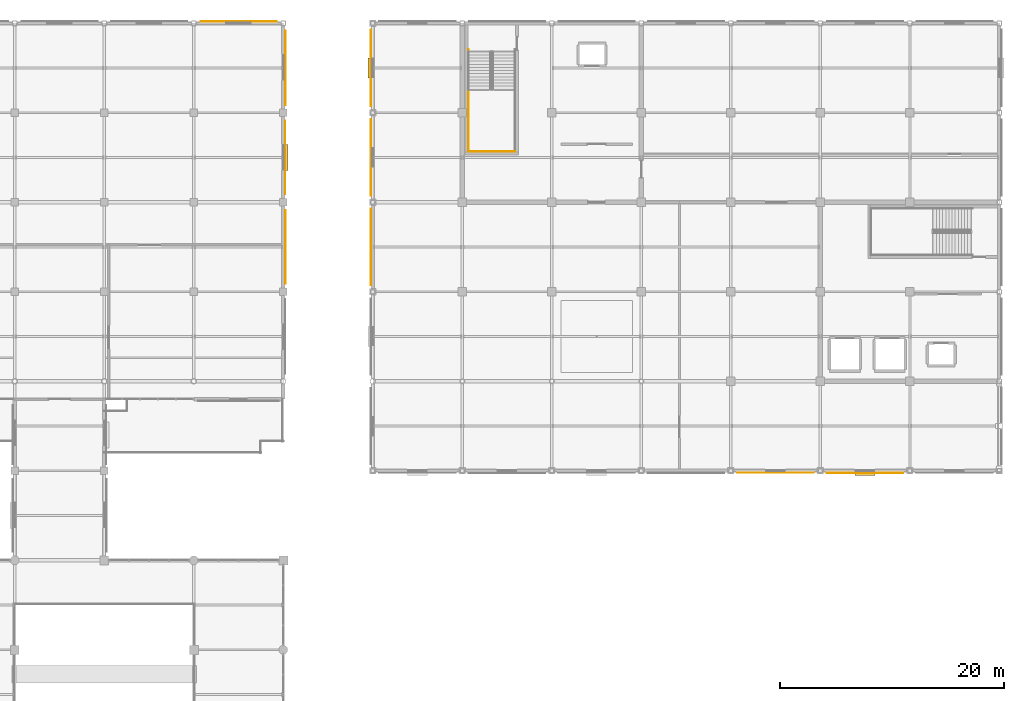
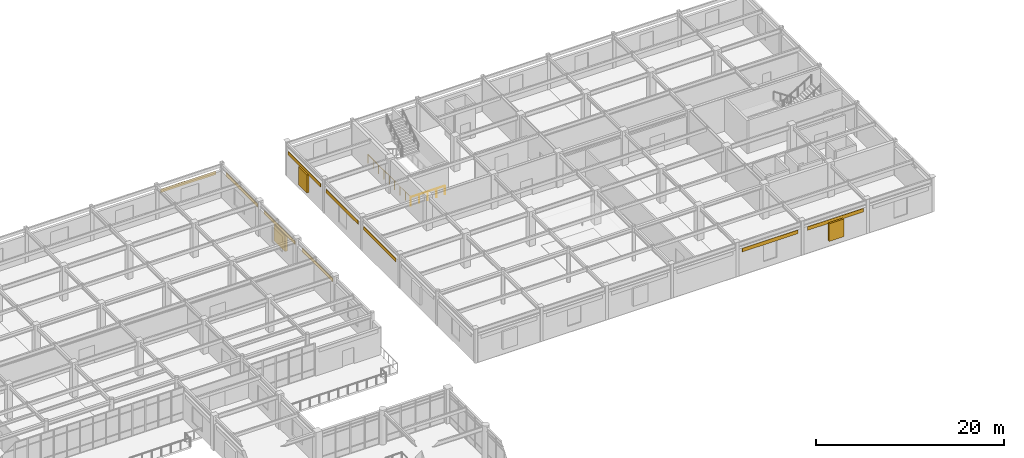
# One storey, part 89 of 93: 9 coverings, 3 shading devices, 2 railings.
"""IFC4 building model written with IfcOpenShell, lengths in metres."""

from ifc_helpers import new_model, si_unit, direction, frame, origin, origin_2d, place, context, subcontext, project, spatial, rectangle, circle, extrude, material, layer, layer_set, type_object, element, save


model = new_model("IFC4")

# Units and contexts
model_context = context("Model", 3, precision=1e-05, world=origin(), true_north=direction((0.0, 1.0)))
body_context = subcontext(model_context, "Body", "Model", "MODEL_VIEW")
ifc_project = project(units=[si_unit("LENGTHUNIT", "METRE"), si_unit("AREAUNIT", "SQUARE_METRE"), si_unit("VOLUMEUNIT", "CUBIC_METRE"), si_unit("PLANEANGLEUNIT", "RADIAN"), si_unit("MASSUNIT", "GRAM", prefix="KILO")], contexts=[model_context])

# Site, building, storey
site_placement = place(None, origin())
site = spatial("IfcSite", under=ifc_project, at=site_placement, CompositionType="ELEMENT")
building_placement = place(site_placement, origin())
building = spatial("IfcBuilding", under=site, at=building_placement, Name="Solmirada Galleria", CompositionType="ELEMENT")
storey_placement = place(building_placement, frame((0.0, 0.0, 14.89990234375)))
storey = spatial("IfcBuildingStorey", under=building, at=storey_placement, Name="L03", CompositionType="ELEMENT", Elevation=14.89990234375)

# Coverings
ifc_material_1 = material(Name="Limestone cladding panels", Category="masonry")
ifc_layer_1 = layer(ifc_material_1, 0.044921875)
ifc_layer_set_1 = layer_set([ifc_layer_1], Name="Limestone cladding panels")
covering_type_1 = type_object("IfcCoveringType", Name="COV-CLAD-LIME", PredefinedType="CLADDING", material=ifc_layer_set_1)
covering_1_placement = place(storey_placement, frame((112.177490234375, 116.0, 2.990234375), z_axis=(0.0, 0.0, 1.0), x_axis=(0.0, -1.0, 0.0)))
element("IfcCovering", 1, at=covering_1_placement, inside=storey, type_object=covering_type_1, Name="Postmodern facade cladding L03-198", PredefinedType="CLADDING", context=body_context, shape_type="SweptSolid", body=[
    extrude(rectangle(XDim=6.672119140625, YDim=0.044921875, at=origin_2d()), origin(), (0.0, 0.0, 1.0), 0.4599609375),
])
covering_2_placement = place(storey_placement, frame((112.177490234375, 100.0, 2.990234375), z_axis=(0.0, 0.0, 1.0), x_axis=(0.0, -1.0, 0.0)))
element("IfcCovering", 2, at=covering_2_placement, inside=storey, type_object=covering_type_1, Name="Postmodern facade cladding L03-200", PredefinedType="CLADDING", context=body_context, shape_type="SweptSolid", body=[
    extrude(rectangle(XDim=6.550048828125, YDim=0.044921875, at=origin_2d()), origin(), (0.0, 0.0, 1.0), 0.4599609375),
])
for number, where, z_axis, x_axis, name in (
    (3, (164.0, 79.822509765625, 2.990234375), (0.0, 0.0, 1.0), (-1.0, 0.0, 0.0), "Postmodern facade cladding L03-234"),
    (4, (119.822509765625, 100.0, 2.990234375), (0.0, 0.0, 1.0), (0.0, 1.0, 0.0), "Postmodern facade cladding L03-242"),
    (5, (119.822509765625, 116.0, 2.990234375), (0.0, 0.0, 1.0), (0.0, 1.0, 0.0), "Postmodern facade cladding L03-244"),
):
    element("IfcCovering", number, at=place(storey_placement, frame(where, z_axis=z_axis, x_axis=x_axis)), inside=storey, type_object=covering_type_1, Name=name, PredefinedType="CLADDING", context=body_context, shape_type="SweptSolid", body=[
        extrude(rectangle(XDim=6.843994140625, YDim=0.044921875, at=origin_2d()), origin(), (0.0, 0.0, 1.0), 0.4599609375),
    ])
ifc_material_2 = material(Name="Glazed terracotta facade panels", Category="masonry")
ifc_layer_2 = layer(ifc_material_2, 0.0400390625)
ifc_layer_set_2 = layer_set([ifc_layer_2], Name="Glazed terracotta facade panels")
covering_type_2 = type_object("IfcCoveringType", Name="COV-CLAD-TERRA", PredefinedType="CLADDING", material=ifc_layer_set_2)
covering_3_placement = place(storey_placement, frame((108.0, 120.175048828125, 2.990234375), z_axis=(0.0, 0.0, 1.0), x_axis=(1.0, 0.0, 0.0)))
element("IfcCovering", 6, at=covering_3_placement, inside=storey, type_object=covering_type_2, Name="Postmodern facade cladding L03-197", PredefinedType="CLADDING", context=body_context, shape_type="SweptSolid", body=[
    extrude(rectangle(XDim=6.7939453125, YDim=0.0400390625, at=origin_2d()), origin(), (0.0, 0.0, 1.0), 0.4599609375),
])
covering_4_placement = place(storey_placement, frame((112.175048828125, 108.0, 2.990234375), z_axis=(0.0, 0.0, 1.0), x_axis=(0.0, -1.0, 0.0)))
element("IfcCovering", 7, at=covering_4_placement, inside=storey, type_object=covering_type_2, Name="Postmodern facade cladding L03-199", PredefinedType="CLADDING", context=body_context, shape_type="SweptSolid", body=[
    extrude(rectangle(XDim=6.550048828125, YDim=0.0400390625, at=origin_2d()), origin(), (0.0, 0.0, 1.0), 0.4599609375),
])
for number, where, z_axis, x_axis, name in (
    (8, (156.0, 79.824951171875, 2.990234375), (0.0, 0.0, 1.0), (-1.0, 0.0, 0.0), "Postmodern facade cladding L03-235"),
    (9, (119.824951171875, 108.0, 2.990234375), (0.0, 0.0, 1.0), (0.0, 1.0, 0.0), "Postmodern facade cladding L03-243"),
):
    element("IfcCovering", number, at=place(storey_placement, frame(where, z_axis=z_axis, x_axis=x_axis)), inside=storey, type_object=covering_type_2, Name=name, PredefinedType="CLADDING", context=body_context, shape_type="SweptSolid", body=[
        extrude(rectangle(XDim=6.843994140625, YDim=0.0400390625, at=origin_2d()), origin(), (0.0, 0.0, 1.0), 0.4599609375),
    ])

# Railings
ifc_material_3 = material(Name="Painted steel tubular railing", Category="steel")
railing_type = type_object("IfcRailingType", Name="RAIL-STAIR-GUARD", PredefinedType="GUARDRAIL", material=ifc_material_3)
railing_1_placement = place(storey_placement, frame((132.7099609375, 108.5400390625, 0.0)))
element("IfcRailing", 10, at=railing_1_placement, inside=storey, type_object=railing_type, Name="Stair ST3 well edge guard L03-2", PredefinedType="GUARDRAIL", context=body_context, shape_type="SweptSolid", body=[
    extrude(circle(Radius=0.02392578125, at=origin_2d()), frame((0.0, 0.0, 1.09619140625), z_axis=(-1.0, 0.0, 0.0), x_axis=(0.0, -1.0, 0.0)), (0.0, 0.0, 1.0), 4.169921875),
    extrude(circle(Radius=0.02099609375, at=origin_2d()), origin(), (0.0, 0.0, 1.0), 1.068115234375),
    extrude(circle(Radius=0.02099609375, at=origin_2d()), frame((-1.04248046875, 0.0, 0.0)), (0.0, 0.0, 1.0), 1.068115234375),
    extrude(circle(Radius=0.02099609375, at=origin_2d()), frame((-2.0849609375, 0.0, 0.0)), (0.0, 0.0, 1.0), 1.068115234375),
    extrude(circle(Radius=0.02099609375, at=origin_2d()), frame((-3.12744140625, 0.0, 0.0)), (0.0, 0.0, 1.0), 1.068115234375),
    extrude(circle(Radius=0.02099609375, at=origin_2d()), frame((-4.169921875, 0.0, 0.0)), (0.0, 0.0, 1.0), 1.068115234375),
])
railing_2_placement = place(storey_placement, frame((128.5400390625, 108.5400390625, 0.0)))
element("IfcRailing", 11, at=railing_2_placement, inside=storey, type_object=railing_type, Name="Stair ST3 well edge guard L03-3", PredefinedType="GUARDRAIL", context=body_context, shape_type="SweptSolid", body=[
    extrude(circle(Radius=0.02392578125, at=origin_2d()), frame((0.0, 0.0, 1.09619140625), z_axis=(0.0, 1.0, 0.0), x_axis=(-1.0, 0.0, 0.0)), (0.0, 0.0, 1.0), 9.10986328125),
    extrude(circle(Radius=0.02099609375, at=origin_2d()), origin(), (0.0, 0.0, 1.0), 1.068115234375),
    extrude(circle(Radius=0.02099609375, at=origin_2d()), frame((0.0, 1.138671875, 0.0)), (0.0, 0.0, 1.0), 1.068115234375),
    extrude(circle(Radius=0.02099609375, at=origin_2d()), frame((0.0, 2.27734375, 0.0)), (0.0, 0.0, 1.0), 1.068115234375),
    extrude(circle(Radius=0.02099609375, at=origin_2d()), frame((0.0, 3.416259765625, 0.0)), (0.0, 0.0, 1.0), 1.068115234375),
    extrude(circle(Radius=0.02099609375, at=origin_2d()), frame((0.0, 4.554931640625, 0.0)), (0.0, 0.0, 1.0), 1.068115234375),
    extrude(circle(Radius=0.02099609375, at=origin_2d()), frame((0.0, 5.693603515625, 0.0)), (0.0, 0.0, 1.0), 1.068115234375),
    extrude(circle(Radius=0.02099609375, at=origin_2d()), frame((0.0, 6.83251953125, 0.0)), (0.0, 0.0, 1.0), 1.068115234375),
    extrude(circle(Radius=0.02099609375, at=origin_2d()), frame((0.0, 7.97119140625, 0.0)), (0.0, 0.0, 1.0), 1.068115234375),
    extrude(circle(Radius=0.02099609375, at=origin_2d()), frame((0.0, 9.10986328125, 0.0)), (0.0, 0.0, 1.0), 1.068115234375),
])

# Shading devices
ifc_material_4 = material(Name="Extruded aluminium storm louvres", Category="aluminium")
shading_device_type = type_object("IfcShadingDeviceType", Name="SHD-JALOUSIE", PredefinedType="JALOUSIE", material=ifc_material_4)
shading_device_placement = place(storey_placement, frame((112.284912109375, 108.0, 0.80029296875), z_axis=(0.0, 0.0, 1.0), x_axis=(0.0, -1.0, 0.0)))
element("IfcShadingDevice", 12, at=shading_device_placement, inside=storey, type_object=shading_device_type, Name="Hurricane storm jalousie louvre 066", PredefinedType="JALOUSIE", context=body_context, shape_type="SweptSolid", body=[
    extrude(rectangle(XDim=2.360107421875, YDim=0.260009765625, at=origin_2d()), origin(), (0.0, 0.0, 1.0), 2.050048828125),
])
for number, where, z_axis, x_axis, name in (
    (13, (164.0, 79.715087890625, 0.80029296875), (0.0, 0.0, 1.0), (-1.0, 0.0, 0.0), "Hurricane storm jalousie louvre 075"),
    (14, (119.715087890625, 116.0, 0.80029296875), (0.0, 0.0, 1.0), (0.0, 1.0, 0.0), "Hurricane storm jalousie louvre 079"),
):
    element("IfcShadingDevice", number, at=place(storey_placement, frame(where, z_axis=z_axis, x_axis=x_axis)), inside=storey, type_object=shading_device_type, Name=name, PredefinedType="JALOUSIE", context=body_context, shape_type="SweptSolid", body=[
        extrude(rectangle(XDim=1.81005859375, YDim=0.260009765625, at=origin_2d()), origin(), (0.0, 0.0, 1.0), 2.300048828125),
    ])

save(model, "model.ifc")
